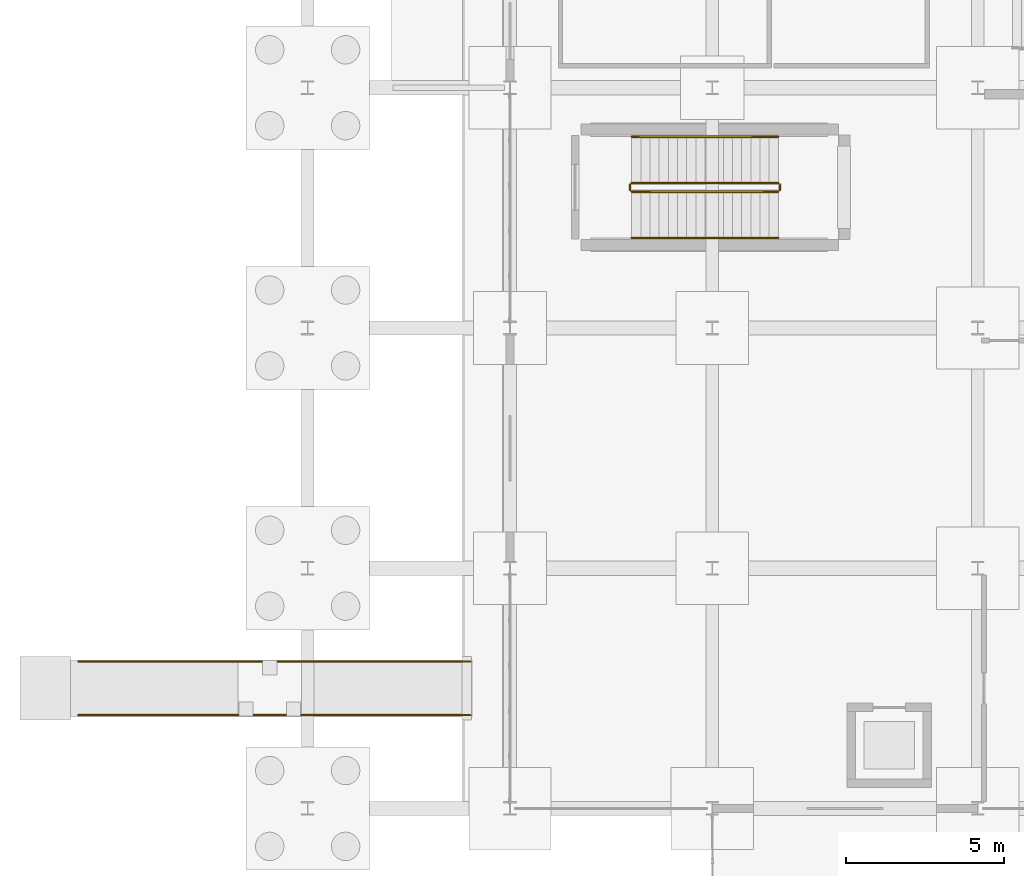
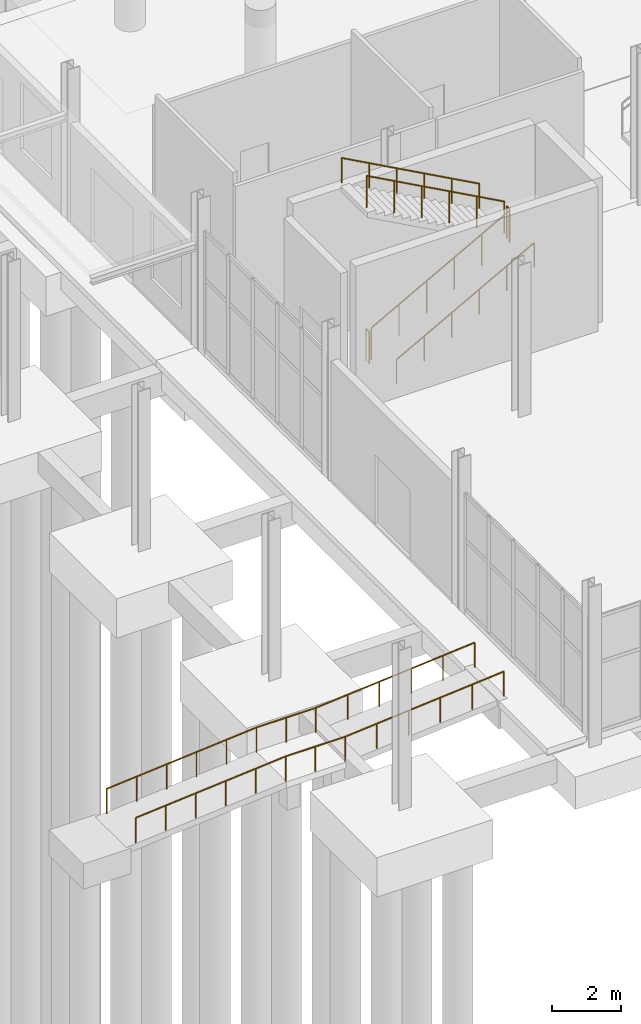
# One storey, part 84 of 95: 8 railings.
"""IFC4 building model written with IfcOpenShell, lengths in metres."""

from ifc_helpers import new_model, si_unit, direction, frame, origin, origin_2d, place, context, subcontext, project, spatial, circle, extrude, material, type_object, element, save


model = new_model("IFC4")

# Units and contexts
model_context = context("Model", 3, precision=1e-05, world=origin(), true_north=direction((0.0, 1.0)))
body_context = subcontext(model_context, "Body", "Model", "MODEL_VIEW")
ifc_project = project(units=[si_unit("LENGTHUNIT", "METRE"), si_unit("AREAUNIT", "SQUARE_METRE"), si_unit("VOLUMEUNIT", "CUBIC_METRE"), si_unit("PLANEANGLEUNIT", "RADIAN"), si_unit("MASSUNIT", "GRAM", prefix="KILO")], contexts=[model_context])

# Site, building, storey
site_placement = place(None, origin())
site = spatial("IfcSite", under=ifc_project, at=site_placement, CompositionType="ELEMENT")
building_placement = place(site_placement, origin())
building = spatial("IfcBuilding", under=site, at=building_placement, Name="Shengluoqiao Park Theatre", CompositionType="ELEMENT")
storey_placement = place(building_placement, origin())
storey = spatial("IfcBuildingStorey", under=building, at=storey_placement, Name="L00", CompositionType="ELEMENT", Elevation=0.0)

# Railings
ifc_material_1 = material(Name="Stainless steel 316", Category="steel")
railing_type_1 = type_object("IfcRailingType", Name="ENV-RL-HR090", PredefinedType="HANDRAIL", material=ifc_material_1)
railing_1_placement = place(storey_placement, frame((-0.85009765625, 33.35009765625, -0.8701171875)))
element("IfcRailing", 1, at=railing_1_placement, inside=storey, type_object=railing_type_1, Name="RMP-02 Accessible Handrail", PredefinedType="HANDRAIL", context=body_context, shape_type="SweptSolid", body=[
    extrude(circle(Radius=0.02392578125, at=origin_2d()), frame((0.0, 0.0, 0.8759765625), z_axis=(0.99655671415, 0.0, 0.082913904039), x_axis=(0.0, 1.0, 0.0)), (0.0, 0.0, 1.0), 5.0673828125),
    extrude(circle(Radius=0.02392578125, at=origin_2d()), frame((5.050048828125, 0.0, 1.2958984375), z_axis=(1.0, 0.0, 0.0), x_axis=(0.0, 1.0, 0.0)), (0.0, 0.0, 1.0), 2.0),
    extrude(circle(Radius=0.02392578125, at=origin_2d()), frame((7.050048828125, 0.0, 1.2958984375), z_axis=(0.996482120558, 0.0, 0.083805628739), x_axis=(0.0, 1.0, 0.0)), (0.0, 0.0, 1.0), 5.368896484375),
    extrude(circle(Radius=0.02099609375, at=origin_2d()), origin(), (0.0, 0.0, 1.0), 0.851806640625),
    extrude(circle(Radius=0.02099609375, at=origin_2d()), frame((1.010009765625, 0.0, 0.083984375)), (0.0, 0.0, 1.0), 0.851806640625),
    extrude(circle(Radius=0.02099609375, at=origin_2d()), frame((2.02001953125, 0.0, 0.16796875)), (0.0, 0.0, 1.0), 0.851806640625),
    extrude(circle(Radius=0.02099609375, at=origin_2d()), frame((3.030029296875, 0.0, 0.252197265625)), (0.0, 0.0, 1.0), 0.851806640625),
    extrude(circle(Radius=0.02099609375, at=origin_2d()), frame((4.0400390625, 0.0, 0.336181640625)), (0.0, 0.0, 1.0), 0.851806640625),
    extrude(circle(Radius=0.02099609375, at=origin_2d()), frame((5.050048828125, 0.0, 0.420166015625)), (0.0, 0.0, 1.0), 0.851806640625),
    extrude(circle(Radius=0.02099609375, at=origin_2d()), frame((6.050048828125, 0.0, 0.420166015625)), (0.0, 0.0, 1.0), 0.851806640625),
    extrude(circle(Radius=0.02099609375, at=origin_2d()), frame((7.050048828125, 0.0, 0.420166015625)), (0.0, 0.0, 1.0), 0.851806640625),
    extrude(circle(Radius=0.02099609375, at=origin_2d()), frame((8.1201171875, 0.0, 0.51025390625)), (0.0, 0.0, 1.0), 0.851806640625),
    extrude(circle(Radius=0.02099609375, at=origin_2d()), frame((9.190185546875, 0.0, 0.60009765625)), (0.0, 0.0, 1.0), 0.851806640625),
    extrude(circle(Radius=0.02099609375, at=origin_2d()), frame((10.260009765625, 0.0, 0.690185546875)), (0.0, 0.0, 1.0), 0.851806640625),
    extrude(circle(Radius=0.02099609375, at=origin_2d()), frame((11.330078125, 0.0, 0.780029296875)), (0.0, 0.0, 1.0), 0.851806640625),
    extrude(circle(Radius=0.02099609375, at=origin_2d()), frame((12.400146484375, 0.0, 0.8701171875)), (0.0, 0.0, 1.0), 0.851806640625),
])
railing_2_placement = place(storey_placement, frame((-0.85009765625, 35.050048828125, -0.8701171875)))
element("IfcRailing", 2, at=railing_2_placement, inside=storey, type_object=railing_type_1, Name="RMP-02 Accessible Handrail", PredefinedType="HANDRAIL", context=body_context, shape_type="SweptSolid", body=[
    extrude(circle(Radius=0.02392578125, at=origin_2d()), frame((0.0, 0.0, 0.8759765625), z_axis=(0.99655671415, 0.0, 0.082913904039), x_axis=(0.0, 1.0, 0.0)), (0.0, 0.0, 1.0), 5.0673828125),
    extrude(circle(Radius=0.02392578125, at=origin_2d()), frame((5.050048828125, 0.0, 1.2958984375), z_axis=(1.0, 0.0, 0.0), x_axis=(0.0, 1.0, 0.0)), (0.0, 0.0, 1.0), 2.0),
    extrude(circle(Radius=0.02392578125, at=origin_2d()), frame((7.050048828125, 0.0, 1.2958984375), z_axis=(0.996482120558, 0.0, 0.083805628739), x_axis=(0.0, 1.0, 0.0)), (0.0, 0.0, 1.0), 5.368896484375),
    extrude(circle(Radius=0.02099609375, at=origin_2d()), origin(), (0.0, 0.0, 1.0), 0.851806640625),
    extrude(circle(Radius=0.02099609375, at=origin_2d()), frame((1.010009765625, 0.0, 0.083984375)), (0.0, 0.0, 1.0), 0.851806640625),
    extrude(circle(Radius=0.02099609375, at=origin_2d()), frame((2.02001953125, 0.0, 0.16796875)), (0.0, 0.0, 1.0), 0.851806640625),
    extrude(circle(Radius=0.02099609375, at=origin_2d()), frame((3.030029296875, 0.0, 0.252197265625)), (0.0, 0.0, 1.0), 0.851806640625),
    extrude(circle(Radius=0.02099609375, at=origin_2d()), frame((4.0400390625, 0.0, 0.336181640625)), (0.0, 0.0, 1.0), 0.851806640625),
    extrude(circle(Radius=0.02099609375, at=origin_2d()), frame((5.050048828125, 0.0, 0.420166015625)), (0.0, 0.0, 1.0), 0.851806640625),
    extrude(circle(Radius=0.02099609375, at=origin_2d()), frame((6.050048828125, 0.0, 0.420166015625)), (0.0, 0.0, 1.0), 0.851806640625),
    extrude(circle(Radius=0.02099609375, at=origin_2d()), frame((7.050048828125, 0.0, 0.420166015625)), (0.0, 0.0, 1.0), 0.851806640625),
    extrude(circle(Radius=0.02099609375, at=origin_2d()), frame((8.1201171875, 0.0, 0.51025390625)), (0.0, 0.0, 1.0), 0.851806640625),
    extrude(circle(Radius=0.02099609375, at=origin_2d()), frame((9.190185546875, 0.0, 0.60009765625)), (0.0, 0.0, 1.0), 0.851806640625),
    extrude(circle(Radius=0.02099609375, at=origin_2d()), frame((10.260009765625, 0.0, 0.690185546875)), (0.0, 0.0, 1.0), 0.851806640625),
    extrude(circle(Radius=0.02099609375, at=origin_2d()), frame((11.330078125, 0.0, 0.780029296875)), (0.0, 0.0, 1.0), 0.851806640625),
    extrude(circle(Radius=0.02099609375, at=origin_2d()), frame((12.400146484375, 0.0, 0.8701171875)), (0.0, 0.0, 1.0), 0.851806640625),
])
ifc_material_2 = material(Name="Painted steel", Category="steel")
railing_type_2 = type_object("IfcRailingType", Name="INT-RL-STGRD", PredefinedType="GUARDRAIL", material=ifc_material_2)
railing_3_placement = place(storey_placement, frame((16.64990234375, 49.909912109375, 0.158935546875)))
element("IfcRailing", 3, at=railing_3_placement, inside=storey, type_object=railing_type_2, Name="L00 ST-13 stair guard 1", PredefinedType="GUARDRAIL", context=body_context, shape_type="SweptSolid", body=[
    extrude(circle(Radius=0.02392578125, at=origin_2d()), frame((0.0, 0.0, 1.1259765625), z_axis=(0.877097193626, 0.0, 0.480312932298), x_axis=(0.0, 1.0, 0.0)), (0.0, 0.0, 1.0), 5.290283203125),
    extrude(circle(Radius=0.02099609375, at=origin_2d()), origin(), (0.0, 0.0, 1.0), 1.101806640625),
    extrude(circle(Radius=0.02099609375, at=origin_2d()), frame((0.927978515625, 0.0, 0.50830078125)), (0.0, 0.0, 1.0), 1.101806640625),
    extrude(circle(Radius=0.02099609375, at=origin_2d()), frame((1.85595703125, 0.0, 1.016357421875)), (0.0, 0.0, 1.0), 1.101806640625),
    extrude(circle(Radius=0.02099609375, at=origin_2d()), frame((2.7841796875, 0.0, 1.524658203125)), (0.0, 0.0, 1.0), 1.101806640625),
    extrude(circle(Radius=0.02099609375, at=origin_2d()), frame((3.712158203125, 0.0, 2.03271484375)), (0.0, 0.0, 1.0), 1.101806640625),
    extrude(circle(Radius=0.02099609375, at=origin_2d()), frame((4.64013671875, 0.0, 2.541015625)), (0.0, 0.0, 1.0), 1.101806640625),
])
railing_4_placement = place(storey_placement, frame((21.340087890625, 49.9599609375, 2.699951171875)))
element("IfcRailing", 4, at=railing_4_placement, inside=storey, type_object=railing_type_2, Name="L00 ST-13 stair guard 2", PredefinedType="GUARDRAIL", context=body_context, shape_type="SweptSolid", body=[
    extrude(circle(Radius=0.02392578125, at=origin_2d()), frame((0.0, 0.0, 1.1259765625), z_axis=(0.0, 1.0, 0.0), x_axis=(-1.0, 0.0, 0.0)), (0.0, 0.0, 1.0), 0.179931640625),
    extrude(circle(Radius=0.02099609375, at=origin_2d()), origin(), (0.0, 0.0, 1.0), 1.101806640625),
    extrude(circle(Radius=0.02099609375, at=origin_2d()), frame((0.0, 0.179931640625, 0.0)), (0.0, 0.0, 1.0), 1.101806640625),
])
railing_5_placement = place(storey_placement, frame((21.2900390625, 50.18994140625, 2.85888671875)))
element("IfcRailing", 5, at=railing_5_placement, inside=storey, type_object=railing_type_2, Name="L00 ST-13 stair guard 3", PredefinedType="GUARDRAIL", context=body_context, shape_type="SweptSolid", body=[
    extrude(circle(Radius=0.02392578125, at=origin_2d()), frame((0.0, 0.0, 1.1259765625), z_axis=(-0.877097193626, 0.0, 0.480312932298), x_axis=(0.0, -1.0, 0.0)), (0.0, 0.0, 1.0), 5.290283203125),
    extrude(circle(Radius=0.02099609375, at=origin_2d()), origin(), (0.0, 0.0, 1.0), 1.101806640625),
    extrude(circle(Radius=0.02099609375, at=origin_2d()), frame((-0.927978515625, 0.0, 0.50830078125)), (0.0, 0.0, 1.0), 1.101806640625),
    extrude(circle(Radius=0.02099609375, at=origin_2d()), frame((-1.85595703125, 0.0, 1.016357421875)), (0.0, 0.0, 1.0), 1.101806640625),
    extrude(circle(Radius=0.02099609375, at=origin_2d()), frame((-2.7841796875, 0.0, 1.524658203125)), (0.0, 0.0, 1.0), 1.101806640625),
    extrude(circle(Radius=0.02099609375, at=origin_2d()), frame((-3.712158203125, 0.0, 2.03271484375)), (0.0, 0.0, 1.0), 1.101806640625),
    extrude(circle(Radius=0.02099609375, at=origin_2d()), frame((-4.64013671875, 0.0, 2.541015625)), (0.0, 0.0, 1.0), 1.101806640625),
])
railing_6_placement = place(storey_placement, frame((16.60009765625, 49.9599609375, 0.0)))
element("IfcRailing", 6, at=railing_6_placement, inside=storey, type_object=railing_type_2, Name="L00 ST-13 stair guard 4", PredefinedType="GUARDRAIL", context=body_context, shape_type="SweptSolid", body=[
    extrude(circle(Radius=0.02392578125, at=origin_2d()), frame((0.0, 0.0, 1.1259765625), z_axis=(0.0, 1.0, 0.0), x_axis=(-1.0, 0.0, 0.0)), (0.0, 0.0, 1.0), 0.179931640625),
    extrude(circle(Radius=0.02099609375, at=origin_2d()), origin(), (0.0, 0.0, 1.0), 1.101806640625),
    extrude(circle(Radius=0.02099609375, at=origin_2d()), frame((0.0, 0.179931640625, 0.0)), (0.0, 0.0, 1.0), 1.101806640625),
])
ifc_material_3 = material(Name="Stainless steel 304", Category="steel")
railing_type_3 = type_object("IfcRailingType", Name="INT-RL-STHR", PredefinedType="HANDRAIL", material=ifc_material_3)
railing_7_placement = place(storey_placement, frame((16.64990234375, 48.449951171875, 0.158935546875)))
element("IfcRailing", 7, at=railing_7_placement, inside=storey, type_object=railing_type_3, Name="L00 ST-13 stair handrail 1", PredefinedType="HANDRAIL", context=body_context, shape_type="SweptSolid", body=[
    extrude(circle(Radius=0.02392578125, at=origin_2d()), frame((0.0, 0.0, 0.8759765625), z_axis=(0.877097193626, 0.0, 0.480312932298), x_axis=(0.0, 1.0, 0.0)), (0.0, 0.0, 1.0), 5.290283203125),
    extrude(circle(Radius=0.02099609375, at=origin_2d()), origin(), (0.0, 0.0, 1.0), 0.851806640625),
    extrude(circle(Radius=0.02099609375, at=origin_2d()), frame((0.927978515625, 0.0, 0.50830078125)), (0.0, 0.0, 1.0), 0.851806640625),
    extrude(circle(Radius=0.02099609375, at=origin_2d()), frame((1.85595703125, 0.0, 1.016357421875)), (0.0, 0.0, 1.0), 0.851806640625),
    extrude(circle(Radius=0.02099609375, at=origin_2d()), frame((2.7841796875, 0.0, 1.524658203125)), (0.0, 0.0, 1.0), 0.851806640625),
    extrude(circle(Radius=0.02099609375, at=origin_2d()), frame((3.712158203125, 0.0, 2.03271484375)), (0.0, 0.0, 1.0), 0.851806640625),
    extrude(circle(Radius=0.02099609375, at=origin_2d()), frame((4.64013671875, 0.0, 2.541015625)), (0.0, 0.0, 1.0), 0.851806640625),
])
railing_8_placement = place(storey_placement, frame((21.2900390625, 51.64990234375, 2.85888671875)))
element("IfcRailing", 8, at=railing_8_placement, inside=storey, type_object=railing_type_3, Name="L00 ST-13 stair handrail 2", PredefinedType="HANDRAIL", context=body_context, shape_type="SweptSolid", body=[
    extrude(circle(Radius=0.02392578125, at=origin_2d()), frame((0.0, 0.0, 0.8759765625), z_axis=(-0.877097193626, 0.0, 0.480312932298), x_axis=(0.0, -1.0, 0.0)), (0.0, 0.0, 1.0), 5.290283203125),
    extrude(circle(Radius=0.02099609375, at=origin_2d()), origin(), (0.0, 0.0, 1.0), 0.851806640625),
    extrude(circle(Radius=0.02099609375, at=origin_2d()), frame((-0.927978515625, 0.0, 0.50830078125)), (0.0, 0.0, 1.0), 0.851806640625),
    extrude(circle(Radius=0.02099609375, at=origin_2d()), frame((-1.85595703125, 0.0, 1.016357421875)), (0.0, 0.0, 1.0), 0.851806640625),
    extrude(circle(Radius=0.02099609375, at=origin_2d()), frame((-2.7841796875, 0.0, 1.524658203125)), (0.0, 0.0, 1.0), 0.851806640625),
    extrude(circle(Radius=0.02099609375, at=origin_2d()), frame((-3.712158203125, 0.0, 2.03271484375)), (0.0, 0.0, 1.0), 0.851806640625),
    extrude(circle(Radius=0.02099609375, at=origin_2d()), frame((-4.64013671875, 0.0, 2.541015625)), (0.0, 0.0, 1.0), 0.851806640625),
])

save(model, "model.ifc")
